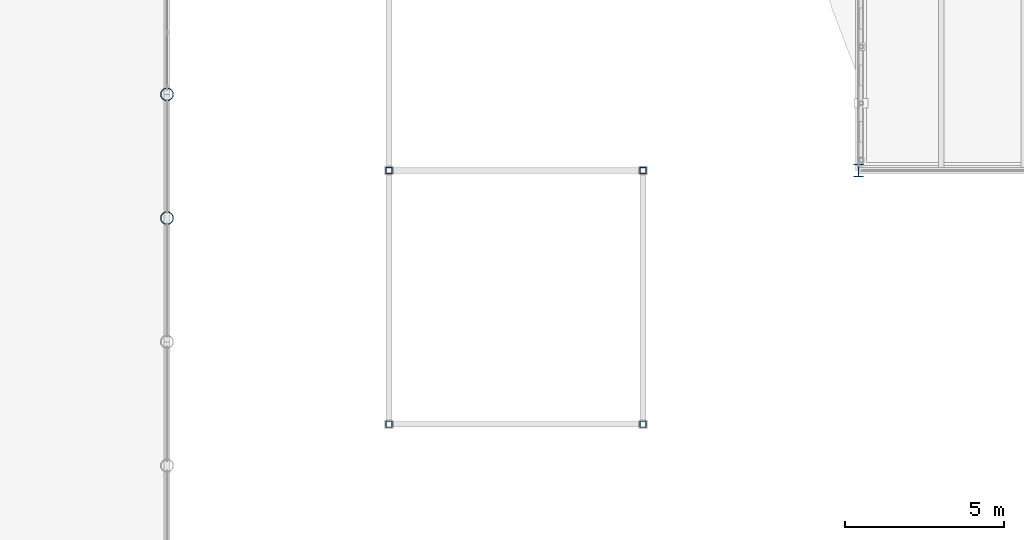
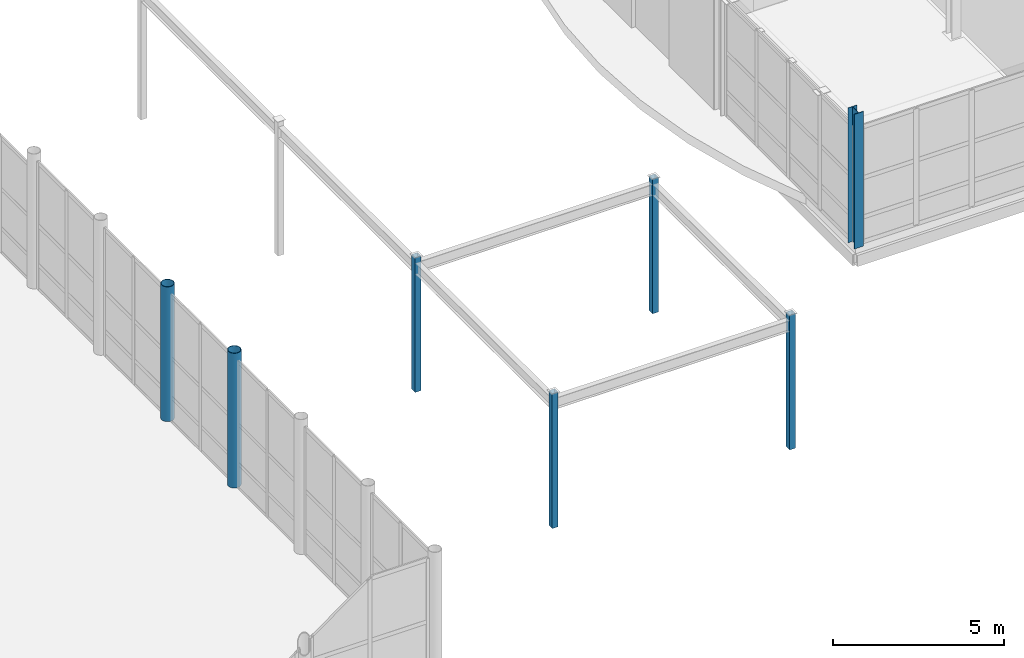
# One storey, part 10 of 131: 7 columns.
"""IFC4 building model written with IfcOpenShell, lengths in metres."""

import ifcopenshell
import ifcopenshell.guid

model = None  # the IFC model being written
_history = None  # IfcOwnerHistory: only IFC2X3 demands one
_inside = {}  # id of a spatial element -> (the spatial element, [elements in it])
_under = {}  # id of a project, library or spatial element -> (it, [spatial elements below it])
_declared = {}  # id of a project -> (the project, [libraries it declares])
_typed = {}  # id of a type object -> (the type object, [elements of that type])
_made_of = {}  # id of a material, layer set ... -> (it, [elements and type objects made of it])


def new_model(schema):
    """Start an empty IFC model of exactly this schema.

    Asked for "IFC4X3", IfcOpenShell would pick the latest addendum, in which some entities
    have other attributes; the version numbers below select the first issue.
    IFC2X3 requires an IfcOwnerHistory on every rooted entity: one is made here for all.
    """
    global model, _history
    if schema == "IFC4X3":
        model = ifcopenshell.file(schema_version=(4, 3, 0, 0))
    else:
        model = ifcopenshell.file(schema=schema)
    _inside.clear()
    _under.clear()
    _declared.clear()
    _typed.clear()
    _made_of.clear()
    _history = None
    if model.schema == "IFC2X3":
        org = make("IfcOrganization", Name="unknown")
        user = make(
            "IfcPersonAndOrganization",
            ThePerson=make("IfcPerson", FamilyName="unknown"),
            TheOrganization=org,
        )
        app = make(
            "IfcApplication",
            ApplicationDeveloper=org,
            Version="unknown",
            ApplicationFullName="unknown",
            ApplicationIdentifier="unknown",
        )
        _history = make(
            "IfcOwnerHistory",
            OwningUser=user,
            OwningApplication=app,
            ChangeAction="ADDED",
            CreationDate=0,
        )
    return model


def make(cls, **values):
    """One entity of the class cls with the attributes given. An attribute that is None is left unset."""
    return model.create_entity(
        cls, **{name: value for name, value in values.items() if value is not None}
    )


def rooted(cls, **values):
    """An entity with a GlobalId (a new one), such as an element, a storey or a relation."""
    return make(cls, GlobalId=ifcopenshell.guid.new(), OwnerHistory=_history, **values)


def si_unit(unit_type, name, prefix=None):
    """IfcSIUnit, for example si_unit("LENGTHUNIT", "METRE", prefix="MILLI")."""
    return make("IfcSIUnit", UnitType=unit_type, Prefix=prefix, Name=name)


def assignment(units):
    """IfcUnitAssignment: the units of a project."""
    return None if units is None else make("IfcUnitAssignment", Units=units)


def point(xyz):
    """IfcCartesianPoint."""
    return None if xyz is None else make("IfcCartesianPoint", Coordinates=xyz)


def direction(xyz):
    """IfcDirection."""
    return None if xyz is None else make("IfcDirection", DirectionRatios=xyz)


def frame(location, z_axis=None, x_axis=None):
    """IfcAxis2Placement3D, a coordinate frame: its origin and axes. An axis left out is left unset."""
    return make(
        "IfcAxis2Placement3D",
        Location=point(location),
        Axis=direction(z_axis),
        RefDirection=direction(x_axis),
    )


def frame_2d(location, x_axis=None):
    """IfcAxis2Placement2D, a coordinate frame in the plane: its origin and x axis."""
    return make(
        "IfcAxis2Placement2D", Location=point(location), RefDirection=direction(x_axis)
    )


def origin():
    """The frame at (0, 0, 0) with its axes left unset."""
    return frame((0.0, 0.0, 0.0))


def origin_2d():
    """The frame at (0, 0) in the plane with its x axis left unset."""
    return frame_2d((0.0, 0.0))


def place(relative_to, where):
    """IfcLocalPlacement: puts the frame where relative to a parent placement (None: the world)."""
    return make(
        "IfcLocalPlacement", PlacementRelTo=relative_to, RelativePlacement=where
    )


def context(
    kind, dimensions, precision=None, world=None, true_north=None, identifier=None
):
    """IfcGeometricRepresentationContext, for example the 3D "Model" context."""
    return make(
        "IfcGeometricRepresentationContext",
        ContextIdentifier=identifier,
        ContextType=kind,
        CoordinateSpaceDimension=dimensions,
        Precision=precision,
        WorldCoordinateSystem=world,
        TrueNorth=true_north,
    )


def subcontext(parent, identifier, kind, view, scale=None):
    """IfcGeometricRepresentationSubContext, for example "Body" below "Model"."""
    return make(
        "IfcGeometricRepresentationSubContext",
        ContextIdentifier=identifier,
        ContextType=kind,
        ParentContext=parent,
        TargetScale=scale,
        TargetView=view,
    )


def project(units=None, contexts=None):
    """IfcProject with its units and contexts."""
    return rooted(
        "IfcProject",
        Name="project",
        RepresentationContexts=contexts,
        UnitsInContext=assignment(units),
    )


def spatial(cls, under=None, at=None, **own):
    """A site, building, storey or space (cls), placed at a placement, below another one or the project."""
    s = rooted(cls, ObjectPlacement=at, **own)
    if under is not None:
        _under.setdefault(under.id(), (under, []))[1].append(s)
    return s


def profile(cls, at=None, kind="AREA", **sizes):
    """A parametric profile (cls). Its sizes go by their IFC names, for example OverallWidth=200.0."""
    return make(cls, ProfileType=kind, Position=at, **sizes)


def hollow_rectangle(**sizes):
    """IfcRectangleHollowProfileDef."""
    return profile("IfcRectangleHollowProfileDef", **sizes)


def hollow_circle(**sizes):
    """IfcCircleHollowProfileDef."""
    return profile("IfcCircleHollowProfileDef", **sizes)


def i_section(**sizes):
    """IfcIShapeProfileDef."""
    return profile("IfcIShapeProfileDef", **sizes)


def extrude(swept, where, along, depth):
    """IfcExtrudedAreaSolid: the profile swept, set in the frame where, extruded along a direction by depth."""
    return make(
        "IfcExtrudedAreaSolid",
        SweptArea=swept,
        Position=where,
        ExtrudedDirection=direction(along),
        Depth=depth,
    )


def shape(context_of_items, identifier, shape_type, items):
    """IfcShapeRepresentation: the items that make up one representation, for example the "Body"."""
    return make(
        "IfcShapeRepresentation",
        ContextOfItems=context_of_items,
        RepresentationIdentifier=identifier,
        RepresentationType=shape_type,
        Items=items,
    )


def material(Name=None, Category=None):
    """IfcMaterial."""
    return make("IfcMaterial", Name=Name, Category=Category)


def material_profile(
    of_material, cross_section, Name=None, Category=None, Priority=None
):
    """IfcMaterialProfile: a cross section and its material."""
    return make(
        "IfcMaterialProfile",
        Name=Name,
        Material=of_material,
        Profile=cross_section,
        Priority=Priority,
        Category=Category,
    )


def profile_set(profiles, Name=None, composite=None):
    """IfcMaterialProfileSet."""
    return make(
        "IfcMaterialProfileSet",
        Name=Name,
        MaterialProfiles=profiles,
        CompositeProfile=composite,
    )


def made_of(thing, what):
    """Note that an element or type object is made of a material, layer set ...; save() writes the relation."""
    if what is not None:
        _made_of.setdefault(what.id(), (what, []))[1].append(thing)
    return thing


def type_object(cls, material=None, **own):
    """A type object (cls), such as IfcWallType, which elements share."""
    return made_of(rooted(cls, **own), material)


def element(
    cls,
    number,
    at=None,
    inside=None,
    cuts=None,
    type_object=None,
    material=None,
    context=None,
    identifier="Body",
    shape_type=None,
    held_by="IfcProductDefinitionShape",
    body=None,
    shapes=None,
    **own,
):
    """One element of the class cls, such as IfcWall. Its Tag is "e" and its number.

    at: its placement. inside: the storey or other place that contains it. cuts: it is an
    opening in that element (IfcRelVoidsElement). A single representation is given by context,
    identifier, shape_type and body (its items); several are given by shapes. held_by: the class
    of the entity that holds the representations. save() writes the other relations.
    """
    e = rooted(cls, Tag="e%d" % number, ObjectPlacement=at, **own)
    if body is not None:
        shapes = [shape(context, identifier, shape_type, body)]
    if shapes is not None:
        e.Representation = make(held_by, Representations=shapes)
    if inside is not None:
        _inside.setdefault(inside.id(), (inside, []))[1].append(e)
    if cuts is not None:
        rooted(
            "IfcRelVoidsElement", RelatingBuildingElement=cuts, RelatedOpeningElement=e
        )
    if type_object is not None:
        _typed.setdefault(type_object.id(), (type_object, []))[1].append(e)
    return made_of(e, material)


def aggregate(whole, parts):
    """IfcRelAggregates: a whole, such as a stair, and the parts it consists of."""
    return rooted("IfcRelAggregates", RelatingObject=whole, RelatedObjects=parts)


def save(model, path):
    """Write the relations noted so far, then the file.

    IfcRelAggregates (storeys below a building ...), IfcRelContainedInSpatialStructure (elements
    in a storey), IfcRelDefinesByType, IfcRelAssociatesMaterial and IfcRelDeclares: one each for
    every whole, place, type object, material and project.
    """
    for whole, parts in _under.values():
        aggregate(whole, parts)
    for where, things in _inside.values():
        rooted(
            "IfcRelContainedInSpatialStructure",
            RelatedElements=things,
            RelatingStructure=where,
        )
    for kind, things in _typed.values():
        rooted("IfcRelDefinesByType", RelatedObjects=things, RelatingType=kind)
    for what, things in _made_of.values():
        rooted("IfcRelAssociatesMaterial", RelatedObjects=things, RelatingMaterial=what)
    for by, libraries in _declared.values():
        rooted("IfcRelDeclares", RelatingContext=by, RelatedDefinitions=libraries)
    model.write(path)


model = new_model("IFC4")

# Units and contexts
model_context = context("Model", 3, precision=1e-05, world=origin(), true_north=direction((0.0, 1.0)))
body_context = subcontext(model_context, "Body", "Model", "MODEL_VIEW")
ifc_project = project(units=[si_unit("LENGTHUNIT", "METRE"), si_unit("AREAUNIT", "SQUARE_METRE"), si_unit("VOLUMEUNIT", "CUBIC_METRE"), si_unit("PLANEANGLEUNIT", "RADIAN"), si_unit("MASSUNIT", "GRAM", prefix="KILO")], contexts=[model_context])

# Site, building, storey
site_placement = place(None, origin())
site = spatial("IfcSite", under=ifc_project, at=site_placement, CompositionType="ELEMENT")
building_placement = place(site_placement, origin())
building = spatial("IfcBuilding", under=site, at=building_placement, Name="Celorna Specialist Clinic", CompositionType="ELEMENT")
storey_placement = place(building_placement, origin())
storey = spatial("IfcBuildingStorey", under=building, at=storey_placement, Name="L00", CompositionType="ELEMENT", Elevation=0.0)

# Columns
ifc_material = material(Name="Steel S355", Category="steel")
ifc_material_profile_1 = material_profile(ifc_material, hollow_circle(Radius=0.203125, WallThickness=0.01611328125, at=origin_2d()), Name="CHS 406.4x16")
ifc_profile_set_1 = profile_set([ifc_material_profile_1], Name="Steel S355")
column_type_1 = type_object("IfcColumnType", Name="CT-12", PredefinedType="COLUMN", material=ifc_profile_set_1)
for number, where, z_axis, x_axis, name in (
    (1, (103.0, 58.5, 0.0), (0.0, 0.0, 1.0), (1.0, 0.0, 0.0), "Column CT-12 L00 X14A/YL"),
    (2, (103.0, 62.39990234375, 0.0), (0.0, 0.0, 1.0), (1.0, 0.0, 0.0), "Column CT-12 L00 X14A/YM"),
):
    element("IfcColumn", number, at=place(storey_placement, frame(where, z_axis=z_axis, x_axis=x_axis)), inside=storey, type_object=column_type_1, Name=name, PredefinedType="COLUMN", context=body_context, shape_type="SweptSolid", body=[
        extrude(hollow_circle(Radius=0.203125, WallThickness=0.01611328125, at=origin_2d()), origin(), (0.0, 0.0, 1.0), 4.800048828125),
    ])
ifc_material_profile_2 = material_profile(ifc_material, hollow_rectangle(XDim=0.199951171875, YDim=0.199951171875, WallThickness=0.010009765625, at=origin_2d()), Name="SHS 200x200x10")
ifc_profile_set_2 = profile_set([ifc_material_profile_2], Name="Steel S355")
column_type_2 = type_object("IfcColumnType", Name="CT-15", PredefinedType="COLUMN", material=ifc_profile_set_2)
for number, where, z_axis, x_axis, name in (
    (3, (110.0, 52.0, 0.0), (0.0, 0.0, 1.0), (1.0, 0.0, 0.0), "Garden colonnade column #1"),
    (4, (110.0, 60.0, 0.0), (0.0, 0.0, 1.0), (1.0, 0.0, 0.0), "Garden colonnade column #2"),
    (5, (118.0, 52.0, 0.0), (0.0, 0.0, 1.0), (1.0, 0.0, 0.0), "Garden colonnade column #5"),
    (6, (118.0, 60.0, 0.0), (0.0, 0.0, 1.0), (1.0, 0.0, 0.0), "Garden colonnade column #6"),
):
    element("IfcColumn", number, at=place(storey_placement, frame(where, z_axis=z_axis, x_axis=x_axis)), inside=storey, type_object=column_type_2, Name=name, PredefinedType="COLUMN", context=body_context, shape_type="SweptSolid", body=[
        extrude(hollow_rectangle(XDim=0.199951171875, YDim=0.199951171875, WallThickness=0.010009765625, at=origin_2d()), origin(), (0.0, 0.0, 1.0), 4.800048828125),
    ])
ifc_material_profile_3 = material_profile(ifc_material, i_section(OverallWidth=0.300048828125, OverallDepth=0.389892578125, WebThickness=0.010986328125, FlangeThickness=0.01904296875, at=origin_2d()), Name="HE 400 A")
ifc_profile_set_3 = profile_set([ifc_material_profile_3], Name="Steel S355")
column_type_3 = type_object("IfcColumnType", Name="CT-18", PredefinedType="COLUMN", material=ifc_profile_set_3)
column_placement = place(storey_placement, frame((124.800048828125, 60.0, 0.0), z_axis=(0.0, 0.0, 1.0), x_axis=(1.0, 0.0, 0.0)))
element("IfcColumn", 7, at=column_placement, inside=storey, type_object=column_type_3, Name="Column CT-18 L00 X17/YL", PredefinedType="COLUMN", context=body_context, shape_type="SweptSolid", body=[
    extrude(i_section(OverallWidth=0.300048828125, OverallDepth=0.389892578125, WebThickness=0.010986328125, FlangeThickness=0.01904296875, at=origin_2d()), origin(), (0.0, 0.0, 1.0), 4.800048828125),
])

save(model, "model.ifc")
